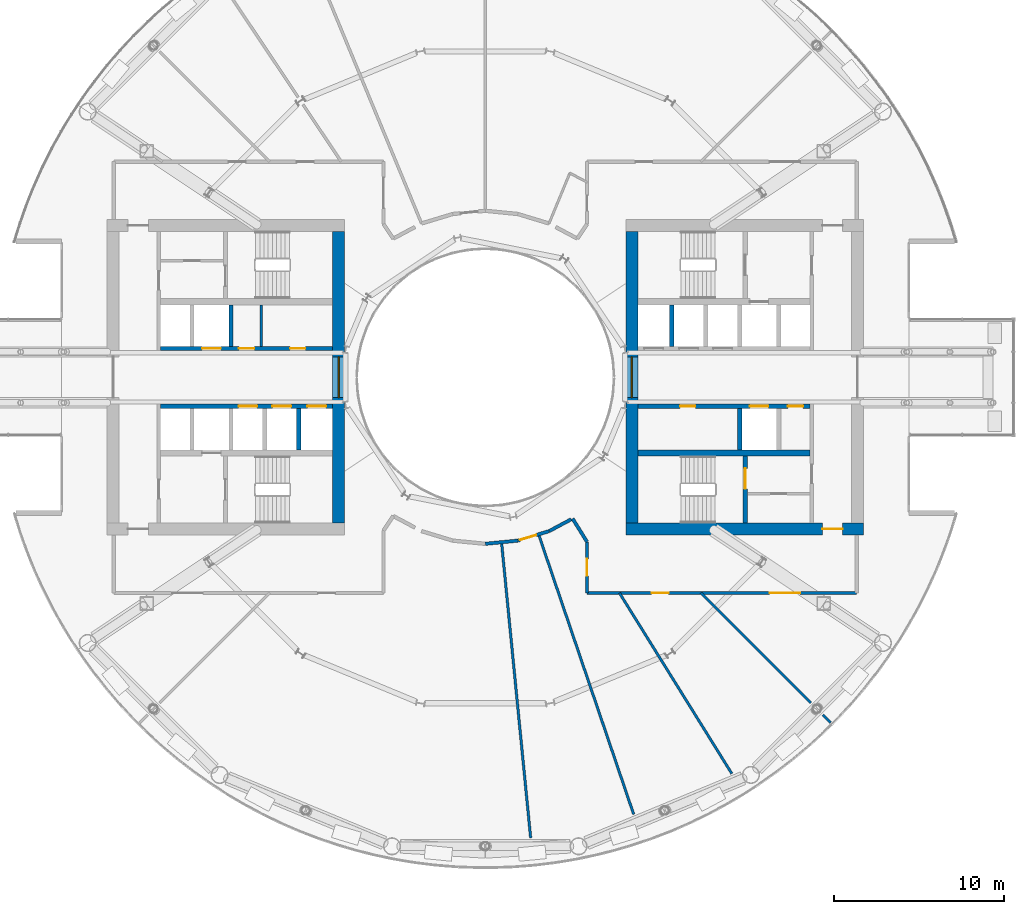
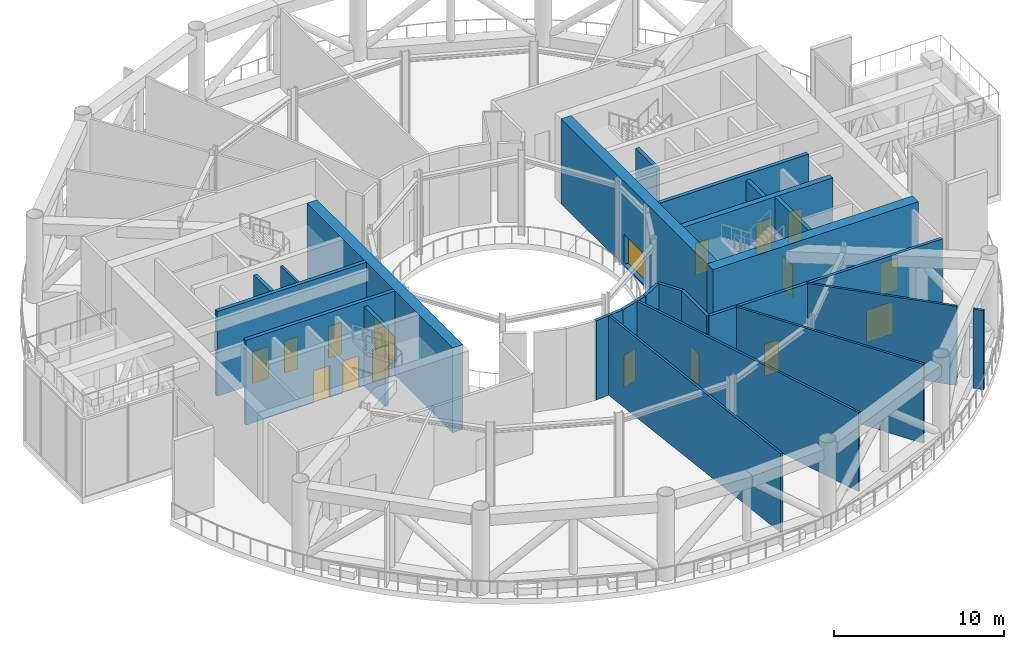
# One storey, part 12 of 23: 24 walls, 15 doors, 2 windows, 17 openings.
"""IFC4 building model written with IfcOpenShell, lengths in metres."""

import ifcopenshell
import ifcopenshell.guid

model = None  # the IFC model being written
_history = None  # IfcOwnerHistory: only IFC2X3 demands one
_inside = {}  # id of a spatial element -> (the spatial element, [elements in it])
_under = {}  # id of a project, library or spatial element -> (it, [spatial elements below it])
_declared = {}  # id of a project -> (the project, [libraries it declares])
_typed = {}  # id of a type object -> (the type object, [elements of that type])
_made_of = {}  # id of a material, layer set ... -> (it, [elements and type objects made of it])


def new_model(schema):
    """Start an empty IFC model of exactly this schema.

    Asked for "IFC4X3", IfcOpenShell would pick the latest addendum, in which some entities
    have other attributes; the version numbers below select the first issue.
    IFC2X3 requires an IfcOwnerHistory on every rooted entity: one is made here for all.
    """
    global model, _history
    if schema == "IFC4X3":
        model = ifcopenshell.file(schema_version=(4, 3, 0, 0))
    else:
        model = ifcopenshell.file(schema=schema)
    _inside.clear()
    _under.clear()
    _declared.clear()
    _typed.clear()
    _made_of.clear()
    _history = None
    if model.schema == "IFC2X3":
        org = make("IfcOrganization", Name="unknown")
        user = make(
            "IfcPersonAndOrganization",
            ThePerson=make("IfcPerson", FamilyName="unknown"),
            TheOrganization=org,
        )
        app = make(
            "IfcApplication",
            ApplicationDeveloper=org,
            Version="unknown",
            ApplicationFullName="unknown",
            ApplicationIdentifier="unknown",
        )
        _history = make(
            "IfcOwnerHistory",
            OwningUser=user,
            OwningApplication=app,
            ChangeAction="ADDED",
            CreationDate=0,
        )
    return model


def make(cls, **values):
    """One entity of the class cls with the attributes given. An attribute that is None is left unset."""
    return model.create_entity(
        cls, **{name: value for name, value in values.items() if value is not None}
    )


def rooted(cls, **values):
    """An entity with a GlobalId (a new one), such as an element, a storey or a relation."""
    return make(cls, GlobalId=ifcopenshell.guid.new(), OwnerHistory=_history, **values)


def si_unit(unit_type, name, prefix=None):
    """IfcSIUnit, for example si_unit("LENGTHUNIT", "METRE", prefix="MILLI")."""
    return make("IfcSIUnit", UnitType=unit_type, Prefix=prefix, Name=name)


def assignment(units):
    """IfcUnitAssignment: the units of a project."""
    return None if units is None else make("IfcUnitAssignment", Units=units)


def point(xyz):
    """IfcCartesianPoint."""
    return None if xyz is None else make("IfcCartesianPoint", Coordinates=xyz)


def direction(xyz):
    """IfcDirection."""
    return None if xyz is None else make("IfcDirection", DirectionRatios=xyz)


def frame(location, z_axis=None, x_axis=None):
    """IfcAxis2Placement3D, a coordinate frame: its origin and axes. An axis left out is left unset."""
    return make(
        "IfcAxis2Placement3D",
        Location=point(location),
        Axis=direction(z_axis),
        RefDirection=direction(x_axis),
    )


def frame_2d(location, x_axis=None):
    """IfcAxis2Placement2D, a coordinate frame in the plane: its origin and x axis."""
    return make(
        "IfcAxis2Placement2D", Location=point(location), RefDirection=direction(x_axis)
    )


def origin():
    """The frame at (0, 0, 0) with its axes left unset."""
    return frame((0.0, 0.0, 0.0))


def place(relative_to, where):
    """IfcLocalPlacement: puts the frame where relative to a parent placement (None: the world)."""
    return make(
        "IfcLocalPlacement", PlacementRelTo=relative_to, RelativePlacement=where
    )


def context(
    kind, dimensions, precision=None, world=None, true_north=None, identifier=None
):
    """IfcGeometricRepresentationContext, for example the 3D "Model" context."""
    return make(
        "IfcGeometricRepresentationContext",
        ContextIdentifier=identifier,
        ContextType=kind,
        CoordinateSpaceDimension=dimensions,
        Precision=precision,
        WorldCoordinateSystem=world,
        TrueNorth=true_north,
    )


def subcontext(parent, identifier, kind, view, scale=None):
    """IfcGeometricRepresentationSubContext, for example "Body" below "Model"."""
    return make(
        "IfcGeometricRepresentationSubContext",
        ContextIdentifier=identifier,
        ContextType=kind,
        ParentContext=parent,
        TargetScale=scale,
        TargetView=view,
    )


def project(units=None, contexts=None):
    """IfcProject with its units and contexts."""
    return rooted(
        "IfcProject",
        Name="project",
        RepresentationContexts=contexts,
        UnitsInContext=assignment(units),
    )


def spatial(cls, under=None, at=None, **own):
    """A site, building, storey or space (cls), placed at a placement, below another one or the project."""
    s = rooted(cls, ObjectPlacement=at, **own)
    if under is not None:
        _under.setdefault(under.id(), (under, []))[1].append(s)
    return s


def profile(cls, at=None, kind="AREA", **sizes):
    """A parametric profile (cls). Its sizes go by their IFC names, for example OverallWidth=200.0."""
    return make(cls, ProfileType=kind, Position=at, **sizes)


def rectangle(**sizes):
    """IfcRectangleProfileDef."""
    return profile("IfcRectangleProfileDef", **sizes)


def extrude(swept, where, along, depth):
    """IfcExtrudedAreaSolid: the profile swept, set in the frame where, extruded along a direction by depth."""
    return make(
        "IfcExtrudedAreaSolid",
        SweptArea=swept,
        Position=where,
        ExtrudedDirection=direction(along),
        Depth=depth,
    )


def shape(context_of_items, identifier, shape_type, items):
    """IfcShapeRepresentation: the items that make up one representation, for example the "Body"."""
    return make(
        "IfcShapeRepresentation",
        ContextOfItems=context_of_items,
        RepresentationIdentifier=identifier,
        RepresentationType=shape_type,
        Items=items,
    )


def material(Name=None, Category=None):
    """IfcMaterial."""
    return make("IfcMaterial", Name=Name, Category=Category)


def layer(
    of_material, thickness, ventilated=None, Name=None, Category=None, Priority=None
):
    """IfcMaterialLayer: one layer of a wall or slab, of a material (None: an air gap)."""
    return make(
        "IfcMaterialLayer",
        Material=of_material,
        LayerThickness=thickness,
        IsVentilated=ventilated,
        Name=Name,
        Category=Category,
        Priority=Priority,
    )


def layer_set(layers, Name=None):
    """IfcMaterialLayerSet."""
    return make("IfcMaterialLayerSet", MaterialLayers=layers, LayerSetName=Name)


def made_of(thing, what):
    """Note that an element or type object is made of a material, layer set ...; save() writes the relation."""
    if what is not None:
        _made_of.setdefault(what.id(), (what, []))[1].append(thing)
    return thing


def type_object(cls, material=None, **own):
    """A type object (cls), such as IfcWallType, which elements share."""
    return made_of(rooted(cls, **own), material)


def element(
    cls,
    number,
    at=None,
    inside=None,
    cuts=None,
    type_object=None,
    material=None,
    context=None,
    identifier="Body",
    shape_type=None,
    held_by="IfcProductDefinitionShape",
    body=None,
    shapes=None,
    **own,
):
    """One element of the class cls, such as IfcWall. Its Tag is "e" and its number.

    at: its placement. inside: the storey or other place that contains it. cuts: it is an
    opening in that element (IfcRelVoidsElement). A single representation is given by context,
    identifier, shape_type and body (its items); several are given by shapes. held_by: the class
    of the entity that holds the representations. save() writes the other relations.
    """
    e = rooted(cls, Tag="e%d" % number, ObjectPlacement=at, **own)
    if body is not None:
        shapes = [shape(context, identifier, shape_type, body)]
    if shapes is not None:
        e.Representation = make(held_by, Representations=shapes)
    if inside is not None:
        _inside.setdefault(inside.id(), (inside, []))[1].append(e)
    if cuts is not None:
        rooted(
            "IfcRelVoidsElement", RelatingBuildingElement=cuts, RelatedOpeningElement=e
        )
    if type_object is not None:
        _typed.setdefault(type_object.id(), (type_object, []))[1].append(e)
    return made_of(e, material)


def fill(opening, filler):
    """IfcRelFillsElement: the door or window that sits in an opening."""
    return rooted(
        "IfcRelFillsElement",
        RelatingOpeningElement=opening,
        RelatedBuildingElement=filler,
    )


def aggregate(whole, parts):
    """IfcRelAggregates: a whole, such as a stair, and the parts it consists of."""
    return rooted("IfcRelAggregates", RelatingObject=whole, RelatedObjects=parts)


def save(model, path):
    """Write the relations noted so far, then the file.

    IfcRelAggregates (storeys below a building ...), IfcRelContainedInSpatialStructure (elements
    in a storey), IfcRelDefinesByType, IfcRelAssociatesMaterial and IfcRelDeclares: one each for
    every whole, place, type object, material and project.
    """
    for whole, parts in _under.values():
        aggregate(whole, parts)
    for where, things in _inside.values():
        rooted(
            "IfcRelContainedInSpatialStructure",
            RelatedElements=things,
            RelatingStructure=where,
        )
    for kind, things in _typed.values():
        rooted("IfcRelDefinesByType", RelatedObjects=things, RelatingType=kind)
    for what, things in _made_of.values():
        rooted("IfcRelAssociatesMaterial", RelatedObjects=things, RelatingMaterial=what)
    for by, libraries in _declared.values():
        rooted("IfcRelDeclares", RelatingContext=by, RelatedDefinitions=libraries)
    model.write(path)


model = new_model("IFC4")

# Units and contexts
model_context = context("Model", 3, precision=1e-05, world=origin(), true_north=direction((0.0, 1.0)))
body_context = subcontext(model_context, "Body", "Model", "MODEL_VIEW")
ifc_project = project(units=[si_unit("LENGTHUNIT", "METRE"), si_unit("AREAUNIT", "SQUARE_METRE"), si_unit("VOLUMEUNIT", "CUBIC_METRE"), si_unit("PLANEANGLEUNIT", "RADIAN"), si_unit("MASSUNIT", "GRAM", prefix="KILO")], contexts=[model_context])

# Site, building, storey
site_placement = place(None, origin())
site = spatial("IfcSite", under=ifc_project, at=site_placement, CompositionType="ELEMENT")
building_placement = place(site_placement, origin())
building = spatial("IfcBuilding", under=site, at=building_placement, Name="Maasbend Ring Residences", CompositionType="ELEMENT")
storey_placement = place(building_placement, frame((0.0, 0.0, 97.14990234375)))
storey = spatial("IfcBuildingStorey", under=building, at=storey_placement, Name="L28", CompositionType="ELEMENT", Elevation=97.14990234375)

# Wall, openings, doors
ifc_material_1 = material(Name="Concrete C70/85", Category="concrete")
ifc_layer_1 = layer(ifc_material_1, 0.25)
ifc_layer_set_1 = layer_set([ifc_layer_1], Name="Concrete C70/85")
wall_type_1 = type_object("IfcWallType", Name="CORE WALL 250 C70/85", PredefinedType="SHEAR", material=ifc_layer_set_1)
wall_1_placement = place(storey_placement, frame((19.14990234375, -1.699951171875, 0.0), z_axis=(0.0, 0.0, 1.0), x_axis=(-1.0, 0.0, 0.0)))
wall_1 = element("IfcWall", 1, at=wall_1_placement, inside=storey, type_object=wall_type_1, Name="L28 core E wall SPS", PredefinedType="SHEAR", context=body_context, shape_type="SweptSolid", body=[
    extrude(rectangle(XDim=10.14990234375, YDim=0.25, at=frame_2d((5.074951171875, 0.0))), origin(), (0.0, 0.0, 1.0), 6.10009765625),
])
opening_1_placement = place(wall_1_placement, frame((2.449951171875, 0.0, 0.0)))
opening_1 = element("IfcOpeningElement", 2, at=opening_1_placement, cuts=wall_1, Name="Opening LD-E2805", PredefinedType="OPENING", context=body_context, shape_type="SweptSolid", body=[
    extrude(rectangle(XDim=1.10009765625, YDim=2.300048828125, at=frame_2d((0.550048828125, 1.14990234375))), frame((0.0, 0.135009765625, 0.0), z_axis=(0.0, -1.0, 0.0), x_axis=(1.0, 0.0, 0.0)), (0.0, 0.0, 1.0), 0.27001953125),
])
opening_2_placement = place(wall_1_placement, frame((6.762451171875, 0.0, 0.0)))
opening_2 = element("IfcOpeningElement", 3, at=opening_2_placement, cuts=wall_1, Name="Opening D-E2806", PredefinedType="OPENING", context=body_context, shape_type="SweptSolid", body=[
    extrude(rectangle(XDim=0.89990234375, YDim=2.300048828125, at=frame_2d((0.449951171875, 1.14990234375))), frame((0.0, 0.135009765625, 0.0), z_axis=(0.0, -1.0, 0.0), x_axis=(1.0, 0.0, 0.0)), (0.0, 0.0, 1.0), 0.27001953125),
])
opening_3_placement = place(wall_1_placement, frame((0.41259765625, 0.0, 0.0)))
opening_3 = element("IfcOpeningElement", 4, at=opening_3_placement, cuts=wall_1, Name="Opening D-E2807", PredefinedType="OPENING", context=body_context, shape_type="SweptSolid", body=[
    extrude(rectangle(XDim=0.89990234375, YDim=2.300048828125, at=frame_2d((0.449951171875, 1.14990234375))), frame((0.0, 0.135009765625, 0.0), z_axis=(0.0, -1.0, 0.0), x_axis=(1.0, 0.0, 0.0)), (0.0, 0.0, 1.0), 0.27001953125),
])
ifc_material_2 = material(Name="Stainless steel 316", Category="steel")
door_type_1 = type_object("IfcDoorType", Name="LANDING DOOR 1100 X 2300 FD60", OperationType="DOUBLE_DOOR_SLIDING", PredefinedType="DOOR", material=ifc_material_2)
door_1_placement = place(opening_1_placement, origin())
door_1 = element("IfcDoor", 5, at=door_1_placement, inside=storey, type_object=door_type_1, Name="Landing door SV-E L28", OperationType="DOUBLE_DOOR_SLIDING", OverallHeight=2.300048828125, OverallWidth=1.10009765625, PredefinedType="DOOR", context=body_context, shape_type="SweptSolid", body=[
    extrude(rectangle(XDim=1.10009765625, YDim=2.300048828125, at=frame_2d((0.550048828125, 1.14990234375))), frame((0.0, 0.02490234375, 0.0), z_axis=(0.0, -1.0, 0.0), x_axis=(1.0, 0.0, 0.0)), (0.0, 0.0, 1.0), 0.050048828125),
])
fill(opening_1, door_1)
ifc_material_3 = material(Name="Steel, powder coated", Category="steel")
door_type_2 = type_object("IfcDoorType", Name="ROOM DOOR 900 X 2300 FD30S", OperationType="NOTDEFINED", PredefinedType="DOOR", material=ifc_material_3)
door_2_placement = place(opening_2_placement, origin())
door_2 = element("IfcDoor", 6, at=door_2_placement, inside=storey, type_object=door_type_2, Name="Room door L28", OperationType="SINGLE_SWING_LEFT", OverallHeight=2.300048828125, OverallWidth=0.89990234375, PredefinedType="DOOR", context=body_context, shape_type="SweptSolid", body=[
    extrude(rectangle(XDim=0.89990234375, YDim=2.300048828125, at=frame_2d((0.449951171875, 1.14990234375))), frame((0.0, 0.02490234375, 0.0), z_axis=(0.0, -1.0, 0.0), x_axis=(1.0, 0.0, 0.0)), (0.0, 0.0, 1.0), 0.050048828125),
])
fill(opening_2, door_2)
door_3_placement = place(opening_3_placement, origin())
door_3 = element("IfcDoor", 7, at=door_3_placement, inside=storey, type_object=door_type_2, Name="Room door L28", OperationType="SINGLE_SWING_RIGHT", OverallHeight=2.300048828125, OverallWidth=0.89990234375, PredefinedType="DOOR", context=body_context, shape_type="SweptSolid", body=[
    extrude(rectangle(XDim=0.89990234375, YDim=2.300048828125, at=frame_2d((0.449951171875, 1.14990234375))), frame((0.0, 0.02490234375, 0.0), z_axis=(0.0, -1.0, 0.0), x_axis=(1.0, 0.0, 0.0)), (0.0, 0.0, 1.0), 0.050048828125),
])
fill(opening_3, door_3)

# Wall, opening, door
wall_2_placement = place(storey_placement, frame((15.324951171875, -8.60009765625, 0.0), z_axis=(0.0, 0.0, 1.0), x_axis=(0.0, 1.0, 0.0)))
wall_2 = element("IfcWall", 8, at=wall_2_placement, inside=storey, type_object=wall_type_1, Name="L28 core E wall STES", PredefinedType="SHEAR", context=body_context, shape_type="SweptSolid", body=[
    extrude(rectangle(XDim=3.9501953125, YDim=0.25, at=frame_2d((1.97509765625, 0.0))), origin(), (0.0, 0.0, 1.0), 6.10009765625),
])
opening_4_placement = place(wall_2_placement, frame((2.02490234375, 0.0, 0.0)))
opening_4 = element("IfcOpeningElement", 9, at=opening_4_placement, cuts=wall_2, Name="Opening D-E2810", PredefinedType="OPENING", context=body_context, shape_type="SweptSolid", body=[
    extrude(rectangle(XDim=1.199951171875, YDim=2.300048828125, at=frame_2d((0.60009765625, 1.14990234375))), frame((0.0, 0.135009765625, 0.0), z_axis=(0.0, -1.0, 0.0), x_axis=(1.0, 0.0, 0.0)), (0.0, 0.0, 1.0), 0.27001953125),
])
ifc_material_4 = material(Name="Steel, powder coated", Category="steel")
door_type_3 = type_object("IfcDoorType", Name="STAIR DOOR 1200 X 2300 FD60", OperationType="NOTDEFINED", PredefinedType="DOOR", material=ifc_material_4)
door_4_placement = place(opening_4_placement, origin())
door_4 = element("IfcDoor", 10, at=door_4_placement, inside=storey, type_object=door_type_3, Name="Stair door ST-E L28", OperationType="SINGLE_SWING_LEFT", OverallHeight=2.300048828125, OverallWidth=1.199951171875, PredefinedType="DOOR", context=body_context, shape_type="SweptSolid", body=[
    extrude(rectangle(XDim=1.199951171875, YDim=2.300048828125, at=frame_2d((0.60009765625, 1.14990234375))), frame((0.0, 0.02490234375, 0.0), z_axis=(0.0, -1.0, 0.0), x_axis=(1.0, 0.0, 0.0)), (0.0, 0.0, 1.0), 0.050048828125),
])
fill(opening_4, door_4)

# Wall, openings, doors
wall_3_placement = place(storey_placement, frame((-9.0, -1.699951171875, 0.0), z_axis=(0.0, 0.0, 1.0), x_axis=(-1.0, 0.0, 0.0)))
wall_3 = element("IfcWall", 11, at=wall_3_placement, inside=storey, type_object=wall_type_1, Name="L28 core W wall SPN", PredefinedType="SHEAR", context=body_context, shape_type="SweptSolid", body=[
    extrude(rectangle(XDim=10.14990234375, YDim=0.25, at=frame_2d((5.074951171875, 0.0))), origin(), (0.0, 0.0, 1.0), 6.10009765625),
])
opening_5_placement = place(wall_3_placement, frame((0.387451171875, 0.0, 0.0)))
opening_5 = element("IfcOpeningElement", 12, at=opening_5_placement, cuts=wall_3, Name="Opening LD-W2801", PredefinedType="OPENING", context=body_context, shape_type="SweptSolid", body=[
    extrude(rectangle(XDim=1.10009765625, YDim=2.300048828125, at=frame_2d((0.550048828125, 1.14990234375))), frame((0.0, 0.135009765625, 0.0), z_axis=(0.0, -1.0, 0.0), x_axis=(1.0, 0.0, 0.0)), (0.0, 0.0, 1.0), 0.27001953125),
])
opening_6_placement = place(wall_3_placement, frame((2.449951171875, 0.0, 0.0)))
opening_6 = element("IfcOpeningElement", 13, at=opening_6_placement, cuts=wall_3, Name="Opening LD-W2802", PredefinedType="OPENING", context=body_context, shape_type="SweptSolid", body=[
    extrude(rectangle(XDim=1.10009765625, YDim=2.300048828125, at=frame_2d((0.550048828125, 1.14990234375))), frame((0.0, 0.135009765625, 0.0), z_axis=(0.0, -1.0, 0.0), x_axis=(1.0, 0.0, 0.0)), (0.0, 0.0, 1.0), 0.27001953125),
])
opening_7_placement = place(wall_3_placement, frame((4.449951171875, 0.0, 0.0)))
opening_7 = element("IfcOpeningElement", 14, at=opening_7_placement, cuts=wall_3, Name="Opening LD-W2803", PredefinedType="OPENING", context=body_context, shape_type="SweptSolid", body=[
    extrude(rectangle(XDim=1.10009765625, YDim=2.300048828125, at=frame_2d((0.550048828125, 1.14990234375))), frame((0.0, 0.135009765625, 0.0), z_axis=(0.0, -1.0, 0.0), x_axis=(1.0, 0.0, 0.0)), (0.0, 0.0, 1.0), 0.27001953125),
])
door_5_placement = place(opening_5_placement, origin())
door_5 = element("IfcDoor", 15, at=door_5_placement, inside=storey, type_object=door_type_1, Name="Landing door LR-W1 L28", OperationType="DOUBLE_DOOR_SLIDING", OverallHeight=2.300048828125, OverallWidth=1.10009765625, PredefinedType="DOOR", context=body_context, shape_type="SweptSolid", body=[
    extrude(rectangle(XDim=1.10009765625, YDim=2.300048828125, at=frame_2d((0.550048828125, 1.14990234375))), frame((0.0, 0.02490234375, 0.0), z_axis=(0.0, -1.0, 0.0), x_axis=(1.0, 0.0, 0.0)), (0.0, 0.0, 1.0), 0.050048828125),
])
fill(opening_5, door_5)
door_6_placement = place(opening_6_placement, origin())
door_6 = element("IfcDoor", 16, at=door_6_placement, inside=storey, type_object=door_type_1, Name="Landing door LR-W2 L28", OperationType="DOUBLE_DOOR_SLIDING", OverallHeight=2.300048828125, OverallWidth=1.10009765625, PredefinedType="DOOR", context=body_context, shape_type="SweptSolid", body=[
    extrude(rectangle(XDim=1.10009765625, YDim=2.300048828125, at=frame_2d((0.550048828125, 1.14990234375))), frame((0.0, 0.02490234375, 0.0), z_axis=(0.0, -1.0, 0.0), x_axis=(1.0, 0.0, 0.0)), (0.0, 0.0, 1.0), 0.050048828125),
])
fill(opening_6, door_6)
door_7_placement = place(opening_7_placement, origin())
door_7 = element("IfcDoor", 17, at=door_7_placement, inside=storey, type_object=door_type_1, Name="Landing door LR-W3 L28", OperationType="DOUBLE_DOOR_SLIDING", OverallHeight=2.300048828125, OverallWidth=1.10009765625, PredefinedType="DOOR", context=body_context, shape_type="SweptSolid", body=[
    extrude(rectangle(XDim=1.10009765625, YDim=2.300048828125, at=frame_2d((0.550048828125, 1.14990234375))), frame((0.0, 0.02490234375, 0.0), z_axis=(0.0, -1.0, 0.0), x_axis=(1.0, 0.0, 0.0)), (0.0, 0.0, 1.0), 0.050048828125),
])
fill(opening_7, door_7)

wall_4_placement = place(storey_placement, frame((-19.14990234375, 1.699951171875, 0.0), z_axis=(0.0, 0.0, 1.0), x_axis=(1.0, 0.0, 0.0)))
wall_4 = element("IfcWall", 18, at=wall_4_placement, inside=storey, type_object=wall_type_1, Name="L28 core W wall SPS", PredefinedType="SHEAR", context=body_context, shape_type="SweptSolid", body=[
    extrude(rectangle(XDim=10.14990234375, YDim=0.25, at=frame_2d((5.074951171875, 0.0))), origin(), (0.0, 0.0, 1.0), 6.10009765625),
])
opening_8_placement = place(wall_4_placement, frame((2.449951171875, 0.0, 0.0)))
opening_8 = element("IfcOpeningElement", 19, at=opening_8_placement, cuts=wall_4, Name="Opening LD-W2805", PredefinedType="OPENING", context=body_context, shape_type="SweptSolid", body=[
    extrude(rectangle(XDim=1.10009765625, YDim=2.300048828125, at=frame_2d((0.550048828125, 1.14990234375))), frame((0.0, 0.135009765625, 0.0), z_axis=(0.0, -1.0, 0.0), x_axis=(1.0, 0.0, 0.0)), (0.0, 0.0, 1.0), 0.27001953125),
])
opening_9_placement = place(wall_4_placement, frame((7.637451171875, 0.0, 0.0)))
opening_9 = element("IfcOpeningElement", 20, at=opening_9_placement, cuts=wall_4, Name="Opening D-W2806", PredefinedType="OPENING", context=body_context, shape_type="SweptSolid", body=[
    extrude(rectangle(XDim=0.89990234375, YDim=2.300048828125, at=frame_2d((0.449951171875, 1.14990234375))), frame((0.0, 0.135009765625, 0.0), z_axis=(0.0, -1.0, 0.0), x_axis=(1.0, 0.0, 0.0)), (0.0, 0.0, 1.0), 0.27001953125),
])
opening_10_placement = place(wall_4_placement, frame((4.625, 0.0, 0.0)))
opening_10 = element("IfcOpeningElement", 21, at=opening_10_placement, cuts=wall_4, Name="Opening D-W2807", PredefinedType="OPENING", context=body_context, shape_type="SweptSolid", body=[
    extrude(rectangle(XDim=0.89990234375, YDim=2.300048828125, at=frame_2d((0.449951171875, 1.14990234375))), frame((0.0, 0.135009765625, 0.0), z_axis=(0.0, -1.0, 0.0), x_axis=(1.0, 0.0, 0.0)), (0.0, 0.0, 1.0), 0.27001953125),
])
door_8_placement = place(opening_8_placement, origin())
door_8 = element("IfcDoor", 22, at=door_8_placement, inside=storey, type_object=door_type_1, Name="Landing door SV-W L28", OperationType="DOUBLE_DOOR_SLIDING", OverallHeight=2.300048828125, OverallWidth=1.10009765625, PredefinedType="DOOR", context=body_context, shape_type="SweptSolid", body=[
    extrude(rectangle(XDim=1.10009765625, YDim=2.300048828125, at=frame_2d((0.550048828125, 1.14990234375))), frame((0.0, 0.02490234375, 0.0), z_axis=(0.0, -1.0, 0.0), x_axis=(1.0, 0.0, 0.0)), (0.0, 0.0, 1.0), 0.050048828125),
])
fill(opening_8, door_8)
door_9_placement = place(opening_9_placement, origin())
door_9 = element("IfcDoor", 23, at=door_9_placement, inside=storey, type_object=door_type_2, Name="Room door L28", OperationType="SINGLE_SWING_LEFT", OverallHeight=2.300048828125, OverallWidth=0.89990234375, PredefinedType="DOOR", context=body_context, shape_type="SweptSolid", body=[
    extrude(rectangle(XDim=0.89990234375, YDim=2.300048828125, at=frame_2d((0.449951171875, 1.14990234375))), frame((0.0, 0.02490234375, 0.0), z_axis=(0.0, -1.0, 0.0), x_axis=(1.0, 0.0, 0.0)), (0.0, 0.0, 1.0), 0.050048828125),
])
fill(opening_9, door_9)
door_10_placement = place(opening_10_placement, origin())
door_10 = element("IfcDoor", 24, at=door_10_placement, inside=storey, type_object=door_type_2, Name="Room door L28", OperationType="SINGLE_SWING_LEFT", OverallHeight=2.300048828125, OverallWidth=0.89990234375, PredefinedType="DOOR", context=body_context, shape_type="SweptSolid", body=[
    extrude(rectangle(XDim=0.89990234375, YDim=2.300048828125, at=frame_2d((0.449951171875, 1.14990234375))), frame((0.0, 0.02490234375, 0.0), z_axis=(0.0, -1.0, 0.0), x_axis=(1.0, 0.0, 0.0)), (0.0, 0.0, 1.0), 0.050048828125),
])
fill(opening_10, door_10)

# Wall
ifc_material_5 = material(Name="Concrete C70/85", Category="concrete")
ifc_layer_2 = layer(ifc_material_5, 0.375)
ifc_layer_set_2 = layer_set([ifc_layer_2], Name="Concrete C70/85")
wall_type_2 = type_object("IfcWallType", Name="CORE WALL 375 C70/85", PredefinedType="SHEAR", material=ifc_layer_set_2)
wall_5_placement = place(storey_placement, frame((9.0, -4.46240234375, 0.0), z_axis=(0.0, 0.0, 1.0), x_axis=(1.0, 0.0, 0.0)))
element("IfcWall", 25, at=wall_5_placement, inside=storey, type_object=wall_type_2, Name="L28 core E wall BS", PredefinedType="SHEAR", context=body_context, shape_type="SweptSolid", body=[
    extrude(rectangle(XDim=10.14990234375, YDim=0.375, at=frame_2d((5.074951171875, 0.0))), origin(), (0.0, 0.0, 1.0), 6.10009765625),
])

# Wall, opening, door
ifc_material_6 = material(Name="Concrete C70/85", Category="concrete")
ifc_layer_3 = layer(ifc_material_6, 0.699951171875)
ifc_layer_set_3 = layer_set([ifc_layer_3], Name="Concrete C70/85")
wall_type_3 = type_object("IfcWallType", Name="CORE WALL 700 C70/85", PredefinedType="SHEAR", material=ifc_layer_set_3)
wall_6_placement = place(storey_placement, frame((8.300048828125, -8.949951171875, 0.0), z_axis=(0.0, 0.0, 1.0), x_axis=(1.0, 0.0, 0.0)))
wall_6 = element("IfcWall", 26, at=wall_6_placement, inside=storey, type_object=wall_type_3, Name="L28 core E wall PS", PredefinedType="SHEAR", context=body_context, shape_type="SweptSolid", body=[
    extrude(rectangle(XDim=14.0, YDim=0.699951171875, at=frame_2d((7.0, 0.0))), origin(), (0.0, 0.0, 1.0), 6.10009765625),
])
opening_11_placement = place(wall_6_placement, frame((11.574951171875, 0.0, 0.0)))
opening_11 = element("IfcOpeningElement", 27, at=opening_11_placement, cuts=wall_6, Name="Opening D-E2814", PredefinedType="OPENING", context=body_context, shape_type="SweptSolid", body=[
    extrude(rectangle(XDim=1.199951171875, YDim=2.300048828125, at=frame_2d((0.60009765625, 1.14990234375))), frame((0.0, 0.35986328125, 0.0), z_axis=(0.0, -1.0, 0.0), x_axis=(1.0, 0.0, 0.0)), (0.0, 0.0, 1.0), 0.719970703125),
])
ifc_material_7 = material(Name="Steel, powder coated", Category="steel")
door_type_4 = type_object("IfcDoorType", Name="CORRIDOR DOOR 1200 X 2300 FD30S", OperationType="NOTDEFINED", PredefinedType="DOOR", material=ifc_material_7)
door_11_placement = place(opening_11_placement, origin())
door_11 = element("IfcDoor", 28, at=door_11_placement, inside=storey, type_object=door_type_4, Name="Corridor door L28", OperationType="SINGLE_SWING_LEFT", OverallHeight=2.300048828125, OverallWidth=1.199951171875, PredefinedType="DOOR", context=body_context, shape_type="SweptSolid", body=[
    extrude(rectangle(XDim=1.199951171875, YDim=2.300048828125, at=frame_2d((0.60009765625, 1.14990234375))), frame((0.0, 0.02490234375, 0.0), z_axis=(0.0, -1.0, 0.0), x_axis=(1.0, 0.0, 0.0)), (0.0, 0.0, 1.0), 0.050048828125),
])
fill(opening_11, door_11)

# Wall, opening, window
wall_7_placement = place(storey_placement, frame((8.64990234375, -8.60009765625, 0.0), z_axis=(0.0, 0.0, 1.0), x_axis=(0.0, 1.0, 0.0)))
wall_7 = element("IfcWall", 29, at=wall_7_placement, inside=storey, type_object=wall_type_3, Name="L28 core E wall PIN", PredefinedType="SHEAR", context=body_context, shape_type="SweptSolid", body=[
    extrude(rectangle(XDim=17.2001953125, YDim=0.699951171875, at=frame_2d((8.60009765625, 0.0))), origin(), (0.0, 0.0, 1.0), 6.10009765625),
])
opening_12_placement = place(wall_7_placement, frame((7.39990234375, 0.0, 0.10009765625)))
opening_12 = element("IfcOpeningElement", 30, at=opening_12_placement, cuts=wall_7, Name="Opening W-E2801", PredefinedType="OPENING", context=body_context, shape_type="SweptSolid", body=[
    extrude(rectangle(XDim=2.39990234375, YDim=2.199951171875, at=frame_2d((1.199951171875, 1.10009765625))), frame((0.0, 0.35986328125, 0.0), z_axis=(0.0, -1.0, 0.0), x_axis=(1.0, 0.0, 0.0)), (0.0, 0.0, 1.0), 0.719970703125),
])
ifc_material_8 = material(Name="Aluminium frame and clear glass", Category="aluminium")
window_type = type_object("IfcWindowType", Name="FIXED WINDOW 2400 X 2200", PartitioningType="SINGLE_PANEL", PredefinedType="WINDOW", material=ifc_material_8)
window_1_placement = place(opening_12_placement, origin())
window_1 = element("IfcWindow", 31, at=window_1_placement, inside=storey, type_object=window_type, Name="Lobby window L28", OverallHeight=2.199951171875, OverallWidth=2.39990234375, PartitioningType="SINGLE_PANEL", PredefinedType="WINDOW", context=body_context, shape_type="SweptSolid", body=[
    extrude(rectangle(XDim=2.39990234375, YDim=2.199951171875, at=frame_2d((1.199951171875, 1.10009765625))), frame((0.0, 0.030029296875, 0.0), z_axis=(0.0, -1.0, 0.0), x_axis=(1.0, 0.0, 0.0)), (0.0, 0.0, 1.0), 0.06005859375),
])
fill(opening_12, window_1)

wall_8_placement = place(storey_placement, frame((-8.64990234375, 8.60009765625, 0.0), z_axis=(0.0, 0.0, 1.0), x_axis=(0.0, -1.0, 0.0)))
wall_8 = element("IfcWall", 32, at=wall_8_placement, inside=storey, type_object=wall_type_3, Name="L28 core W wall PIN", PredefinedType="SHEAR", context=body_context, shape_type="SweptSolid", body=[
    extrude(rectangle(XDim=17.2001953125, YDim=0.699951171875, at=frame_2d((8.60009765625, 0.0))), origin(), (0.0, 0.0, 1.0), 6.10009765625),
])
opening_13_placement = place(wall_8_placement, frame((7.39990234375, 0.0, 0.10009765625)))
opening_13 = element("IfcOpeningElement", 33, at=opening_13_placement, cuts=wall_8, Name="Opening W-W2801", PredefinedType="OPENING", context=body_context, shape_type="SweptSolid", body=[
    extrude(rectangle(XDim=2.39990234375, YDim=2.199951171875, at=frame_2d((1.199951171875, 1.10009765625))), frame((0.0, 0.35986328125, 0.0), z_axis=(0.0, -1.0, 0.0), x_axis=(1.0, 0.0, 0.0)), (0.0, 0.0, 1.0), 0.719970703125),
])
window_2_placement = place(opening_13_placement, origin())
window_2 = element("IfcWindow", 34, at=window_2_placement, inside=storey, type_object=window_type, Name="Lobby window L28", OverallHeight=2.199951171875, OverallWidth=2.39990234375, PartitioningType="SINGLE_PANEL", PredefinedType="WINDOW", context=body_context, shape_type="SweptSolid", body=[
    extrude(rectangle(XDim=2.39990234375, YDim=2.199951171875, at=frame_2d((1.199951171875, 1.10009765625))), frame((0.0, 0.030029296875, 0.0), z_axis=(0.0, -1.0, 0.0), x_axis=(1.0, 0.0, 0.0)), (0.0, 0.0, 1.0), 0.06005859375),
])
fill(opening_13, window_2)

# Wall, openings, doors
ifc_material_9 = material(Name="Concrete C30/37", Category="concrete")
ifc_layer_4 = layer(ifc_material_9, 0.199951171875)
ifc_layer_set_4 = layer_set([ifc_layer_4], Name="Concrete C30/37")
wall_type_4 = type_object("IfcWallType", Name="CORRIDOR WALL 200 CONCRETE", PredefinedType="PARTITIONING", material=ifc_layer_set_4)
wall_9_placement = place(storey_placement, frame((6.0, -12.719970703125, 0.0), z_axis=(0.0, 0.0, 1.0), x_axis=(1.0, 0.0, 0.0)))
wall_9 = element("IfcWall", 35, at=wall_9_placement, inside=storey, type_object=wall_type_4, Name="U-L28-w004", PredefinedType="PARTITIONING", context=body_context, shape_type="SweptSolid", body=[
    extrude(rectangle(XDim=15.89990234375, YDim=0.199951171875, at=frame_2d((7.949951171875, 0.0))), origin(), (0.0, 0.0, 1.0), 5.7001953125),
])
opening_14_placement = place(wall_9_placement, frame((3.81591796875, 0.0, 0.0)))
opening_14 = element("IfcOpeningElement", 36, at=opening_14_placement, cuts=wall_9, Name="Opening D-2809", PredefinedType="OPENING", context=body_context, shape_type="SweptSolid", body=[
    extrude(rectangle(XDim=1.0, YDim=2.300048828125, at=frame_2d((0.5, 1.14990234375))), frame((0.0, 0.10986328125, 0.0), z_axis=(0.0, -1.0, 0.0), x_axis=(1.0, 0.0, 0.0)), (0.0, 0.0, 1.0), 0.219970703125),
])
opening_15_placement = place(wall_9_placement, frame((10.77001953125, 0.0, 0.0)))
opening_15 = element("IfcOpeningElement", 37, at=opening_15_placement, cuts=wall_9, Name="Opening D-2813", PredefinedType="OPENING", context=body_context, shape_type="SweptSolid", body=[
    extrude(rectangle(XDim=1.800048828125, YDim=2.300048828125, at=frame_2d((0.89990234375, 1.14990234375))), frame((0.0, 0.10986328125, 0.0), z_axis=(0.0, -1.0, 0.0), x_axis=(1.0, 0.0, 0.0)), (0.0, 0.0, 1.0), 0.219970703125),
])
ifc_material_10 = material(Name="Timber, painted", Category="wood")
door_type_5 = type_object("IfcDoorType", Name="DOUBLE DOOR 1800 X 2300", OperationType="NOTDEFINED", PredefinedType="DOOR", material=ifc_material_10)
door_12_placement = place(opening_15_placement, origin())
door_12 = element("IfcDoor", 38, at=door_12_placement, inside=storey, type_object=door_type_5, Name="D-2813", OperationType="DOUBLE_DOOR_SINGLE_SWING", OverallHeight=2.300048828125, OverallWidth=1.800048828125, PredefinedType="DOOR", context=body_context, shape_type="SweptSolid", body=[
    extrude(rectangle(XDim=1.800048828125, YDim=2.300048828125, at=frame_2d((0.89990234375, 1.14990234375))), frame((0.0, 0.02490234375, 0.0), z_axis=(0.0, -1.0, 0.0), x_axis=(1.0, 0.0, 0.0)), (0.0, 0.0, 1.0), 0.050048828125),
])
fill(opening_15, door_12)
ifc_material_11 = material(Name="Timber, painted", Category="wood")
door_type_6 = type_object("IfcDoorType", Name="ROOM DOOR 1000 X 2300", OperationType="NOTDEFINED", PredefinedType="DOOR", material=ifc_material_11)
door_13_placement = place(opening_14_placement, origin())
door_13 = element("IfcDoor", 39, at=door_13_placement, inside=storey, type_object=door_type_6, Name="D-2809", OperationType="SINGLE_SWING_LEFT", OverallHeight=2.300048828125, OverallWidth=1.0, PredefinedType="DOOR", context=body_context, shape_type="SweptSolid", body=[
    extrude(rectangle(XDim=1.0, YDim=2.300048828125, at=frame_2d((0.5, 1.14990234375))), frame((0.0, 0.02490234375, 0.0), z_axis=(0.0, -1.0, 0.0), x_axis=(1.0, 0.0, 0.0)), (0.0, 0.0, 1.0), 0.050048828125),
])
fill(opening_14, door_13)

# Wall
wall_10_placement = place(storey_placement, frame((0.0, -9.820068359375, 0.0), z_axis=(0.0, 0.0, 1.0), x_axis=(0.995171860647, 0.098147683504, 0.0)))
element("IfcWall", 40, at=wall_10_placement, inside=storey, type_object=wall_type_4, Name="U-L28-w008", PredefinedType="PARTITIONING", context=body_context, shape_type="SweptSolid", body=[
    extrude(rectangle(XDim=1.92529296875, YDim=0.199951171875, at=frame_2d((0.962646484375, 0.0))), origin(), (0.0, 0.0, 1.0), 5.7001953125),
])

# Wall, opening, door
wall_11_placement = place(storey_placement, frame((1.926025390625, -9.6298828125, 0.0), z_axis=(0.0, 0.0, 1.0), x_axis=(0.956606257688, 0.291383712228, 0.0)))
wall_11 = element("IfcWall", 41, at=wall_11_placement, inside=storey, type_object=wall_type_4, Name="U-L28-w009", PredefinedType="PARTITIONING", context=body_context, shape_type="SweptSolid", body=[
    extrude(rectangle(XDim=1.924560546875, YDim=0.199951171875, at=frame_2d((0.96240234375, 0.0))), origin(), (0.0, 0.0, 1.0), 5.7001953125),
])
opening_16_placement = place(wall_11_placement, frame((0.132080078125, 0.0, 0.0)))
opening_16 = element("IfcOpeningElement", 42, at=opening_16_placement, cuts=wall_11, Name="Opening D-2807", PredefinedType="OPENING", context=body_context, shape_type="SweptSolid", body=[
    extrude(rectangle(XDim=1.0, YDim=2.300048828125, at=frame_2d((0.5, 1.14990234375))), frame((0.0, 0.10986328125, 0.0), z_axis=(0.0, -1.0, 0.0), x_axis=(1.0, 0.0, 0.0)), (0.0, 0.0, 1.0), 0.219970703125),
])
door_14_placement = place(opening_16_placement, origin())
door_14 = element("IfcDoor", 43, at=door_14_placement, inside=storey, type_object=door_type_6, Name="D-2807", OperationType="SINGLE_SWING_LEFT", OverallHeight=2.300048828125, OverallWidth=1.0, PredefinedType="DOOR", context=body_context, shape_type="SweptSolid", body=[
    extrude(rectangle(XDim=1.0, YDim=2.300048828125, at=frame_2d((0.5, 1.14990234375))), frame((0.0, 0.02490234375, 0.0), z_axis=(0.0, -1.0, 0.0), x_axis=(1.0, 0.0, 0.0)), (0.0, 0.0, 1.0), 0.050048828125),
])
fill(opening_16, door_14)

# Wall
wall_12_placement = place(storey_placement, frame((3.77392578125, -9.06591796875, 0.0), z_axis=(0.0, 0.0, 1.0), x_axis=(0.881271929501, 0.472609549494, 0.0)))
element("IfcWall", 44, at=wall_12_placement, inside=storey, type_object=wall_type_4, Name="U-L28-w010", PredefinedType="PARTITIONING", context=body_context, shape_type="SweptSolid", body=[
    extrude(rectangle(XDim=1.466064453125, YDim=0.199951171875, at=frame_2d((0.73291015625, 0.0))), origin(), (0.0, 0.0, 1.0), 5.7001953125),
])

# Wall, opening, door
wall_13_placement = place(storey_placement, frame((6.0, -12.719970703125, 0.0), z_axis=(0.0, 0.0, 1.0), x_axis=(0.0, 1.0, 0.0)))
wall_13 = element("IfcWall", 45, at=wall_13_placement, inside=storey, type_object=wall_type_4, Name="U-L28-w011", PredefinedType="PARTITIONING", context=body_context, shape_type="SweptSolid", body=[
    extrude(rectangle(XDim=3.01708984375, YDim=0.199951171875, at=frame_2d((1.508544921875, 0.0))), origin(), (0.0, 0.0, 1.0), 5.7001953125),
])
opening_17_placement = place(wall_13_placement, frame((1.008056640625, 0.0, 0.0)))
opening_17 = element("IfcOpeningElement", 46, at=opening_17_placement, cuts=wall_13, Name="Opening D-2808", PredefinedType="OPENING", context=body_context, shape_type="SweptSolid", body=[
    extrude(rectangle(XDim=1.0, YDim=2.300048828125, at=frame_2d((0.5, 1.14990234375))), frame((0.0, 0.10986328125, 0.0), z_axis=(0.0, -1.0, 0.0), x_axis=(1.0, 0.0, 0.0)), (0.0, 0.0, 1.0), 0.219970703125),
])
door_15_placement = place(opening_17_placement, origin())
door_15 = element("IfcDoor", 47, at=door_15_placement, inside=storey, type_object=door_type_6, Name="D-2808", OperationType="SINGLE_SWING_LEFT", OverallHeight=2.300048828125, OverallWidth=1.0, PredefinedType="DOOR", context=body_context, shape_type="SweptSolid", body=[
    extrude(rectangle(XDim=1.0, YDim=2.300048828125, at=frame_2d((0.5, 1.14990234375))), frame((0.0, 0.02490234375, 0.0), z_axis=(0.0, -1.0, 0.0), x_axis=(1.0, 0.0, 0.0)), (0.0, 0.0, 1.0), 0.050048828125),
])
fill(opening_17, door_15)

# Walls
wall_14_placement = place(storey_placement, frame((5.14697265625, -8.330078125, 0.0), z_axis=(0.0, 0.0, 1.0), x_axis=(0.527783933958, -0.849378666471, 0.0)))
element("IfcWall", 48, at=wall_14_placement, inside=storey, type_object=wall_type_4, Name="U-L28-w014", PredefinedType="PARTITIONING", context=body_context, shape_type="SweptSolid", body=[
    extrude(rectangle(XDim=1.6162109375, YDim=0.199951171875, at=frame_2d((0.80810546875, 0.0))), origin(), (0.0, 0.0, 1.0), 5.7001953125),
])
ifc_material_12 = material(Name="Gypsum board on steel studs", Category="steel")
ifc_layer_5 = layer(ifc_material_12, 0.14990234375)
ifc_layer_set_5 = layer_set([ifc_layer_5], Name="PARTITION 150 EI 60")
wall_type_5 = type_object("IfcWallType", Name="PARTITION 150 EI 60", PredefinedType="PARTITIONING", material=ifc_layer_set_5)
wall_15_placement = place(storey_placement, frame((-13.199951171875, 1.824951171875, 0.0), z_axis=(0.0, 0.0, 1.0), x_axis=(0.0, 1.0, 0.0)))
element("IfcWall", 49, at=wall_15_placement, inside=storey, type_object=wall_type_5, Name="L28 core W wall PRS1320", PredefinedType="PARTITIONING", context=body_context, shape_type="SweptSolid", body=[
    extrude(rectangle(XDim=2.449951171875, YDim=0.14990234375, at=frame_2d((1.22509765625, 0.0))), origin(), (0.0, 0.0, 1.0), 5.7001953125),
])
ifc_material_13 = material(Name="Gypsum board on steel studs", Category="steel")
ifc_layer_6 = layer(ifc_material_13, 0.14990234375)
ifc_layer_set_6 = layer_set([ifc_layer_6], Name="PARTITION 150 GYPSUM")
wall_type_6 = type_object("IfcWallType", Name="PARTITION 150 GYPSUM", PredefinedType="PARTITIONING", material=ifc_layer_set_6)
wall_16_placement = place(storey_placement, frame((0.9580078125, -9.72607421875, 0.0), z_axis=(0.0, 0.0, 1.0), x_axis=(0.098025634079, -0.995183890074, 0.0)))
element("IfcWall", 50, at=wall_16_placement, inside=storey, type_object=wall_type_6, Name="U-L28-w025", PredefinedType="PARTITIONING", context=body_context, shape_type="SweptSolid", body=[
    extrude(rectangle(XDim=17.516357421875, YDim=0.14990234375, at=frame_2d((8.75830078125, 0.0))), origin(), (0.0, 0.0, 1.0), 5.7001953125),
])
wall_17_placement = place(storey_placement, frame((3.14404296875, -9.259033203125, 0.0), z_axis=(0.0, 0.0, 1.0), x_axis=(0.321485791184, -0.946914402714, 0.0)))
element("IfcWall", 51, at=wall_17_placement, inside=storey, type_object=wall_type_6, Name="U-L28-w026", PredefinedType="PARTITIONING", context=body_context, shape_type="SweptSolid", body=[
    extrude(rectangle(XDim=17.437744140625, YDim=0.14990234375, at=frame_2d((8.71875, 0.0))), origin(), (0.0, 0.0, 1.0), 5.7001953125),
])
wall_18_placement = place(storey_placement, frame((7.912109375, -12.719970703125, 0.0), z_axis=(0.0, 0.0, 1.0), x_axis=(0.528173452455, -0.849136504999, 0.0)))
element("IfcWall", 52, at=wall_18_placement, inside=storey, type_object=wall_type_6, Name="U-L28-w028", PredefinedType="PARTITIONING", context=body_context, shape_type="SweptSolid", body=[
    extrude(rectangle(XDim=12.546875, YDim=0.14990234375, at=frame_2d((6.2734375, 0.0))), origin(), (0.0, 0.0, 1.0), 5.7001953125),
])
wall_19_placement = place(storey_placement, frame((12.719970703125, -12.719970703125, 0.0), z_axis=(0.0, 0.0, 1.0), x_axis=(0.707106781187, -0.707106781187, 0.0)))
element("IfcWall", 53, at=wall_19_placement, inside=storey, type_object=wall_type_6, Name="U-L28-w029", PredefinedType="PARTITIONING", context=body_context, shape_type="SweptSolid", body=[
    extrude(rectangle(XDim=9.169921875, YDim=0.14990234375, at=frame_2d((4.5849609375, 0.0))), origin(), (0.0, 0.0, 1.0), 5.7001953125),
])
wall_20_placement = place(storey_placement, frame((19.910888671875, -19.910888671875, 0.0), z_axis=(0.0, 0.0, 1.0), x_axis=(0.707106781187, -0.707106781187, 0.0)))
element("IfcWall", 54, at=wall_20_placement, inside=storey, type_object=wall_type_6, Name="U-L28-w031", PredefinedType="PARTITIONING", context=body_context, shape_type="SweptSolid", body=[
    extrude(rectangle(XDim=0.64208984375, YDim=0.14990234375, at=frame_2d((0.321044921875, 0.0))), origin(), (0.0, 0.0, 1.0), 5.7001953125),
])
ifc_material_14 = material(Name="Concrete C30/37", Category="concrete")
ifc_layer_7 = layer(ifc_material_14, 0.25)
ifc_layer_set_7 = layer_set([ifc_layer_7], Name="Concrete C30/37")
wall_type_7 = type_object("IfcWallType", Name="SHAFT WALL 250 EI 120", PredefinedType="SOLIDWALL", material=ifc_layer_set_7)
for number, where, z_axis, x_axis, name in (
    (55, (15.0, -1.824951171875, 0.0), (0.0, 0.0, 1.0), (0.0, -1.0, 0.0), "L28 core E wall D150S"),
    (56, (11.0, 1.824951171875, 0.0), (0.0, 0.0, 1.0), (0.0, 1.0, 0.0), "L28 core E wall D110N"),
    (57, (-15.0, 1.824951171875, 0.0), (0.0, 0.0, 1.0), (0.0, 1.0, 0.0), "L28 core W wall D150S"),
    (58, (-11.0, -1.824951171875, 0.0), (0.0, 0.0, 1.0), (0.0, -1.0, 0.0), "L28 core W wall D110N"),
):
    element("IfcWall", number, at=place(storey_placement, frame(where, z_axis=z_axis, x_axis=x_axis)), inside=storey, type_object=wall_type_7, Name=name, PredefinedType="SOLIDWALL", context=body_context, shape_type="SweptSolid", body=[
        extrude(rectangle(XDim=2.449951171875, YDim=0.25, at=frame_2d((1.22509765625, 0.0))), origin(), (0.0, 0.0, 1.0), 5.7001953125),
    ])

save(model, "model.ifc")
